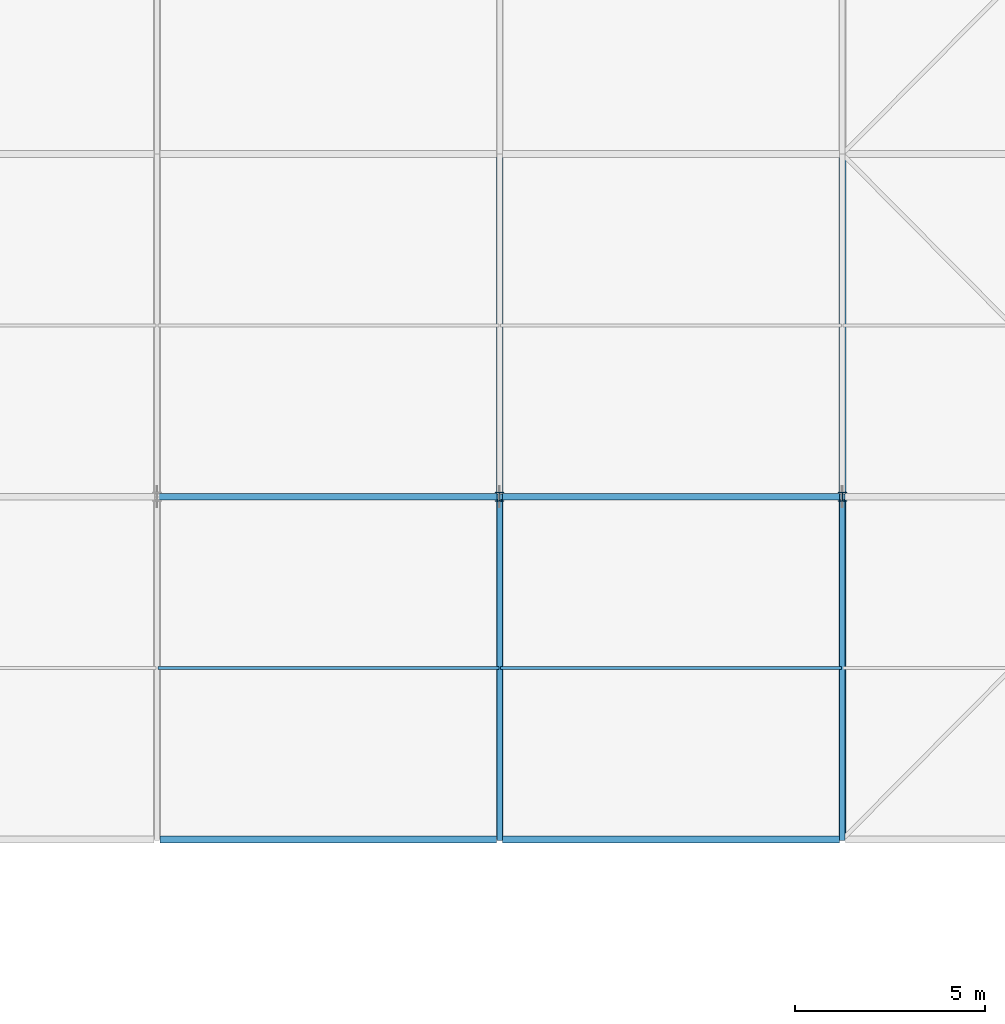
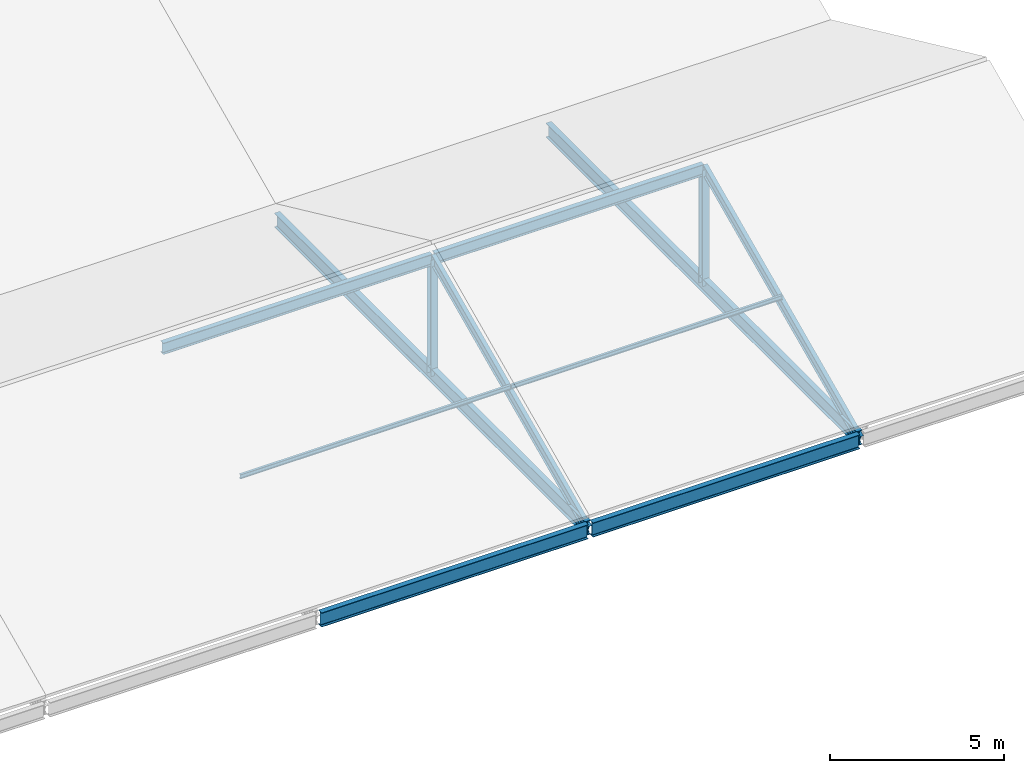
# One storey, part 85 of 163: 8 members, 4 beams.
"""IFC4 building model written with IfcOpenShell, lengths in metres."""

from ifc_helpers import new_model, si_unit, direction, frame, origin, origin_2d, place, context, subcontext, project, spatial, i_section, extrude, material, material_profile, profile_set, type_object, element, save


model = new_model("IFC4")

# Units and contexts
model_context = context("Model", 3, precision=1e-05, world=origin(), true_north=direction((0.0, 1.0)))
body_context = subcontext(model_context, "Body", "Model", "MODEL_VIEW")
ifc_project = project(units=[si_unit("LENGTHUNIT", "METRE"), si_unit("AREAUNIT", "SQUARE_METRE"), si_unit("VOLUMEUNIT", "CUBIC_METRE"), si_unit("PLANEANGLEUNIT", "RADIAN"), si_unit("MASSUNIT", "GRAM", prefix="KILO")], contexts=[model_context])

# Site, building, storey
site_placement = place(None, origin())
site = spatial("IfcSite", under=ifc_project, at=site_placement, CompositionType="ELEMENT")
building_placement = place(site_placement, origin())
building = spatial("IfcBuilding", under=site, at=building_placement, Name="Tharagai Park Tramway Depot", CompositionType="ELEMENT")
storey_placement = place(building_placement, frame((0.0, 0.0, 8.39990234375)))
storey = spatial("IfcBuildingStorey", under=building, at=storey_placement, Name="L02", CompositionType="ELEMENT", Elevation=8.39990234375)

# Beams
ifc_material_1 = material(Name="Steel E350", Category="steel")
ifc_material_profile_1 = material_profile(ifc_material_1, i_section(OverallWidth=0.179931640625, OverallDepth=0.5, WebThickness=0.01025390625, FlangeThickness=0.01708984375, FilletRadius=0.01708984375, at=origin_2d()), Name="ISMB 500")
ifc_profile_set_1 = profile_set([ifc_material_profile_1], Name="Steel E350")
beam_type = type_object("IfcBeamType", Name="BM-18", PredefinedType="BEAM", material=ifc_profile_set_1)
for number, where, z_axis, x_axis, name in (
    (1, (189.080078125, 99.0, -0.5), (1.0, 0.0, 0.0), (0.0, 1.0, 0.0), "V3B1 Roof Eave Girder BM-18"),
    (2, (198.080078125, 99.0, -0.5), (1.0, 0.0, 0.0), (0.0, 1.0, 0.0), "V3B1 Roof Eave Girder BM-18"),
):
    element("IfcBeam", number, at=place(storey_placement, frame(where, z_axis=z_axis, x_axis=x_axis)), inside=storey, type_object=beam_type, Name=name, PredefinedType="BEAM", context=body_context, shape_type="SweptSolid", body=[
        extrude(i_section(OverallWidth=0.179931640625, OverallDepth=0.5, WebThickness=0.01025390625, FlangeThickness=0.01708984375, FilletRadius=0.01708984375, at=origin_2d()), origin(), (0.0, 0.0, 1.0), 8.83984375),
    ])
for number, where, z_axis, x_axis, name in (
    (3, (198.0, 99.080078125, -0.5), (0.0, 1.0, 0.0), (-1.0, 0.0, 0.0), "V3B1 Gable Tie Girder BM-18"),
    (4, (207.0, 99.080078125, -0.5), (0.0, 1.0, 0.0), (-1.0, 0.0, 0.0), "V3B1 Gable Tie Girder BM-18"),
):
    element("IfcBeam", number, at=place(storey_placement, frame(where, z_axis=z_axis, x_axis=x_axis)), inside=storey, type_object=beam_type, Name=name, PredefinedType="BEAM", context=body_context, shape_type="SweptSolid", body=[
        extrude(i_section(OverallWidth=0.179931640625, OverallDepth=0.5, WebThickness=0.01025390625, FlangeThickness=0.01708984375, FilletRadius=0.01708984375, at=origin_2d()), origin(), (0.0, 0.0, 1.0), 17.83984375),
    ])

# Members
ifc_material_profile_2 = material_profile(ifc_material_1, i_section(OverallWidth=0.22509765625, OverallDepth=0.22509765625, WebThickness=0.008544921875, FlangeThickness=0.009033203125, FilletRadius=0.010009765625, at=origin_2d()), Name="ISHB 225")
ifc_profile_set_2 = profile_set([ifc_material_profile_2], Name="Steel E350")
member_type_1 = type_object("IfcMemberType", Name="BR-02", PredefinedType="BRACE", material=ifc_profile_set_2)
for number, where, z_axis, x_axis, name in (
    (5, (198.0, 108.0, -0.5), (0.0, 0.0, 1.0), (1.0, 0.0, 0.0), "V3B1 Gable King Strut BR-02"),
    (6, (207.0, 108.0, -0.5), (0.0, 0.0, 1.0), (1.0, 0.0, 0.0), "V3B1 Gable King Strut BR-02"),
):
    element("IfcMember", number, at=place(storey_placement, frame(where, z_axis=z_axis, x_axis=x_axis)), inside=storey, type_object=member_type_1, Name=name, PredefinedType="BRACE", context=body_context, shape_type="SweptSolid", body=[
        extrude(i_section(OverallWidth=0.22509765625, OverallDepth=0.22509765625, WebThickness=0.008544921875, FlangeThickness=0.009033203125, FilletRadius=0.010009765625, at=origin_2d()), origin(), (0.0, 0.0, 1.0), 4.06982421875),
    ])
ifc_material_2 = material(Name="Steel E250", Category="steel")
ifc_material_profile_3 = material_profile(ifc_material_2, i_section(OverallWidth=0.080078125, OverallDepth=0.14990234375, WebThickness=0.0048828125, FlangeThickness=0.007568359375, FilletRadius=0.009033203125, at=origin_2d()), Name="ISMB 150")
ifc_profile_set_3 = profile_set([ifc_material_profile_3], Name="Steel E250")
member_type_2 = type_object("IfcMemberType", Name="PR-05", PredefinedType="PURLIN", material=ifc_profile_set_3)
for number, where, z_axis, x_axis, name in (
    (7, (189.02001953125, 103.5, 1.77392578125), (1.0, 0.0, 0.0), (0.0, 1.0, 0.0), "V3B1 Roof Purlin PR-05"),
    (8, (198.02001953125, 103.5, 1.77392578125), (1.0, 0.0, 0.0), (0.0, 1.0, 0.0), "V3B1 Roof Purlin PR-05"),
):
    element("IfcMember", number, at=place(storey_placement, frame(where, z_axis=z_axis, x_axis=x_axis)), inside=storey, type_object=member_type_2, Name=name, PredefinedType="PURLIN", context=body_context, shape_type="SweptSolid", body=[
        extrude(i_section(OverallWidth=0.080078125, OverallDepth=0.14990234375, WebThickness=0.0048828125, FlangeThickness=0.007568359375, FilletRadius=0.009033203125, at=origin_2d()), origin(), (0.0, 0.0, 1.0), 8.9599609375),
    ])
ifc_material_profile_4 = material_profile(ifc_material_1, i_section(OverallWidth=0.139892578125, OverallDepth=0.35009765625, WebThickness=0.008056640625, FlangeThickness=0.01416015625, FilletRadius=0.013916015625, at=origin_2d()), Name="ISMB 350")
ifc_profile_set_4 = profile_set([ifc_material_profile_4], Name="Steel E350")
member_type_3 = type_object("IfcMemberType", Name="RF-01", PredefinedType="RAFTER", material=ifc_profile_set_4)
for number, where, z_axis, x_axis, name in (
    (9, (198.0, 99.050048828125, -0.53173828125), (0.0, 0.909083998875, 0.416612869448), (-1.0, 0.0, 0.0), "V3B1 Pitched Rafter RF-01 South"),
    (10, (207.0, 99.050048828125, -0.53173828125), (0.0, 0.909083998875, 0.416612869448), (-1.0, 0.0, 0.0), "V3B1 Pitched Rafter RF-01 South"),
):
    element("IfcMember", number, at=place(storey_placement, frame(where, z_axis=z_axis, x_axis=x_axis)), inside=storey, type_object=member_type_3, Name=name, PredefinedType="RAFTER", context=body_context, shape_type="SweptSolid", body=[
        extrude(i_section(OverallWidth=0.139892578125, OverallDepth=0.35009765625, WebThickness=0.008056640625, FlangeThickness=0.01416015625, FilletRadius=0.013916015625, at=origin_2d()), origin(), (0.0, 0.0, 1.0), 9.844970703125),
    ])
ifc_material_profile_5 = material_profile(ifc_material_1, i_section(OverallWidth=0.1650390625, OverallDepth=0.39990234375, WebThickness=0.008056640625, FlangeThickness=0.012451171875, FilletRadius=0.013916015625, at=origin_2d()), Name="ISLB 400")
ifc_profile_set_5 = profile_set([ifc_material_profile_5], Name="Steel E350")
member_type_4 = type_object("IfcMemberType", Name="TC-04", PredefinedType="CHORD", material=ifc_profile_set_5)
for number, where, z_axis, x_axis, name in (
    (11, (189.0400390625, 108.0, 3.544921875), (1.0, 0.0, 0.0), (0.0, 1.0, 0.0), "V3B1 Roof Ridge Chord TC-04"),
    (12, (198.0400390625, 108.0, 3.544921875), (1.0, 0.0, 0.0), (0.0, 1.0, 0.0), "V3B1 Roof Ridge Chord TC-04"),
):
    element("IfcMember", number, at=place(storey_placement, frame(where, z_axis=z_axis, x_axis=x_axis)), inside=storey, type_object=member_type_4, Name=name, PredefinedType="CHORD", context=body_context, shape_type="SweptSolid", body=[
        extrude(i_section(OverallWidth=0.1650390625, OverallDepth=0.39990234375, WebThickness=0.008056640625, FlangeThickness=0.012451171875, FilletRadius=0.013916015625, at=origin_2d()), origin(), (0.0, 0.0, 1.0), 8.919921875),
    ])

save(model, "model.ifc")
